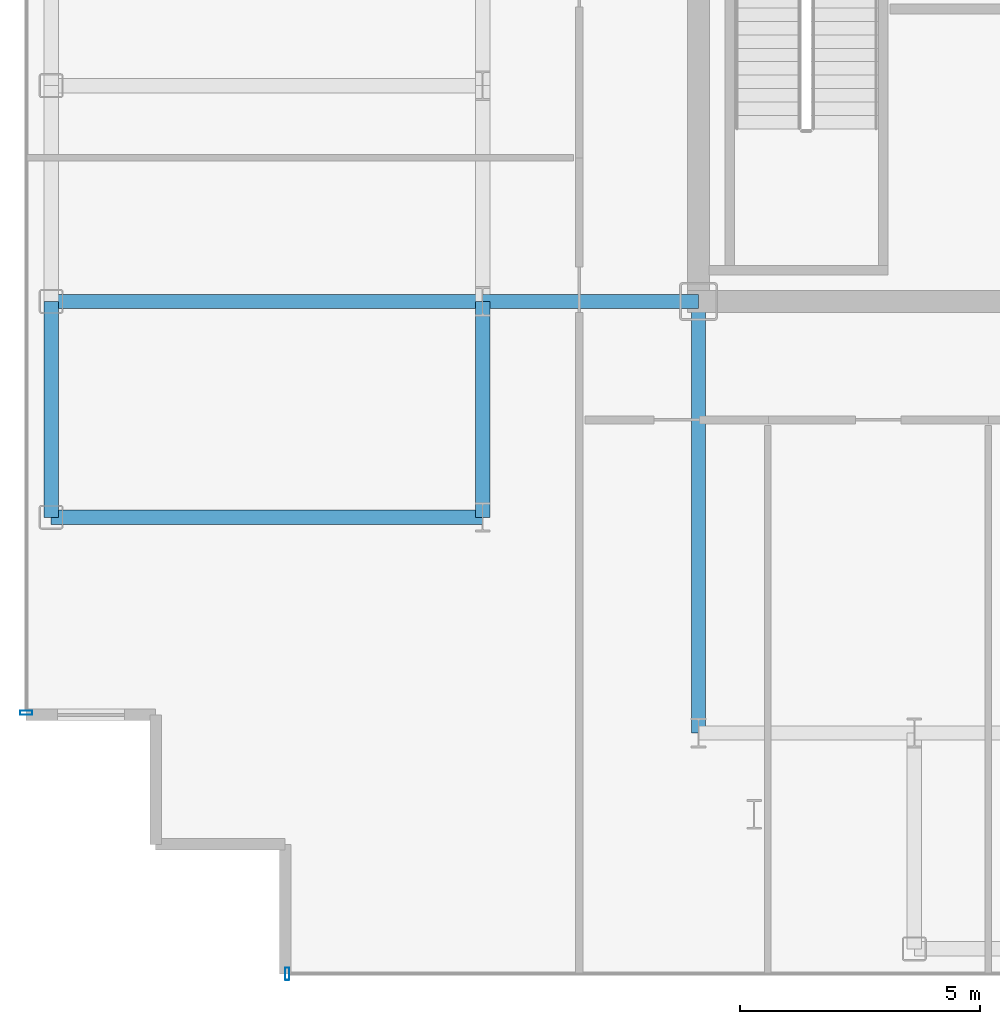
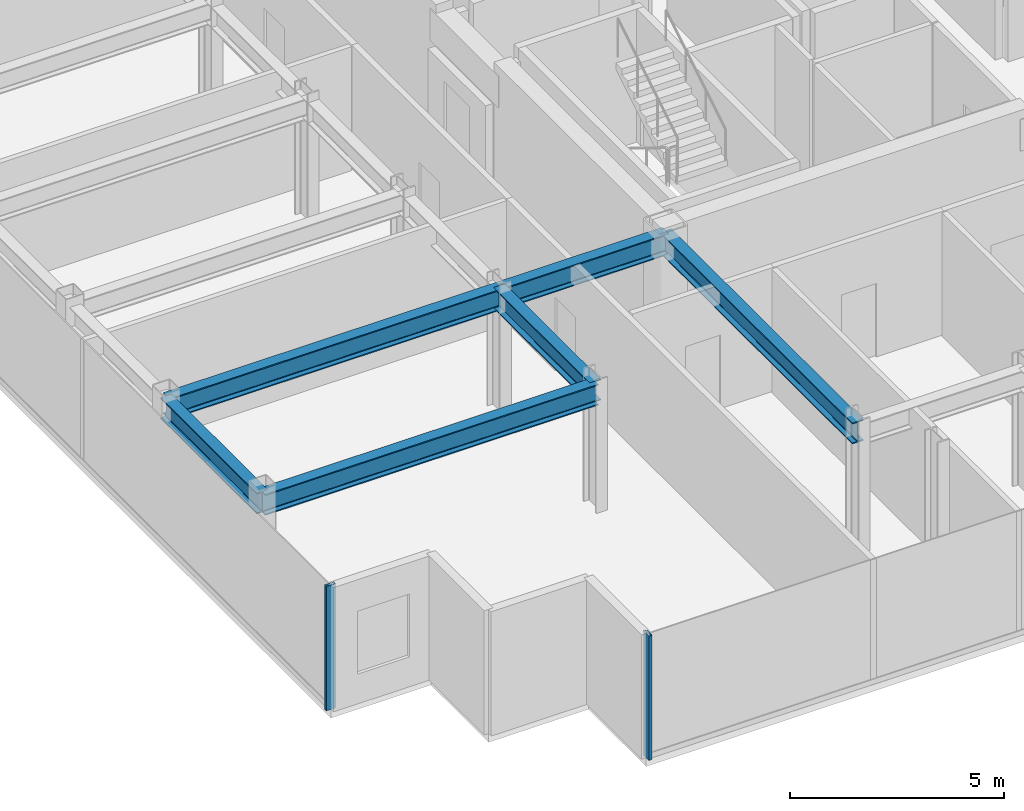
# One storey, part 2 of 18: 6 beams, 2 members, 2 elements without a shape of their own.
"""IFC4 building model written with IfcOpenShell, lengths in metres."""

from ifc_helpers import new_model, si_unit, direction, frame, origin, origin_2d, place, context, subcontext, project, spatial, hollow_rectangle, i_section, extrude, source, transform, mapped, material, layer, layer_set, material_profile, profile_set, type_object, element, aggregate, save


model = new_model("IFC4")

# Units and contexts
model_context = context("Model", 3, precision=1e-05, world=origin(), true_north=direction((0.0, 1.0)))
body_context = subcontext(model_context, "Body", "Model", "MODEL_VIEW")
ifc_project = project(units=[si_unit("LENGTHUNIT", "METRE"), si_unit("AREAUNIT", "SQUARE_METRE"), si_unit("VOLUMEUNIT", "CUBIC_METRE"), si_unit("PLANEANGLEUNIT", "RADIAN"), si_unit("MASSUNIT", "GRAM", prefix="KILO")], contexts=[model_context])

# Site, building, storey
site_placement = place(None, origin())
site = spatial("IfcSite", under=ifc_project, at=site_placement, CompositionType="ELEMENT")
building_placement = place(site_placement, origin())
building = spatial("IfcBuilding", under=site, at=building_placement, Name="Nefas-Gora Pilgrimage Tower", CompositionType="ELEMENT")
storey_placement = place(building_placement, frame((0.0, 0.0, 295.0)))
storey = spatial("IfcBuildingStorey", under=building, at=storey_placement, Name="L74", CompositionType="ELEMENT", Elevation=295.0)

# Beams
ifc_material_1 = material(Name="Steel S355", Category="steel")
ifc_material_profile_1 = material_profile(ifc_material_1, i_section(OverallWidth=0.300048828125, OverallDepth=0.60009765625, WebThickness=0.015380859375, FlangeThickness=0.030029296875, FilletRadius=0.027099609375, at=origin_2d()), Name="HEB 600")
ifc_profile_set_1 = profile_set([ifc_material_profile_1], Name="Steel S355")
beam_type_1 = type_object("IfcBeamType", Name="BM-SPN-HEB450", PredefinedType="SPANDREL", material=ifc_profile_set_1)
shared_shape_1 = source(origin(), body_context, "Body", "SweptSolid", [
    extrude(i_section(OverallWidth=0.300048828125, OverallDepth=0.60009765625, WebThickness=0.015380859375, FlangeThickness=0.030029296875, FilletRadius=0.027099609375, at=origin_2d()), origin(), (0.0, 0.0, 1.0), 4.5),
])
beam_placement = place(storey_placement, frame((-24.75, -13.5, 3.25), z_axis=(0.0, 1.0, 0.0), x_axis=(-1.0, 0.0, 0.0)))
element("IfcBeam", 1, at=beam_placement, inside=storey, type_object=beam_type_1, Name="L74 SP-03 beam", PredefinedType="SPANDREL", context=body_context, shape_type="MappedRepresentation", body=[
    mapped(shared_shape_1, transform((0.0, 0.0, 0.0), x_axis=(1.0, 0.0, 0.0), y_axis=(0.0, 1.0, 0.0), z_axis=(0.0, 0.0, 1.0), scale=1.0)),
])
ifc_material_profile_2 = material_profile(ifc_material_1, i_section(OverallWidth=0.300048828125, OverallDepth=0.60009765625, WebThickness=0.015380859375, FlangeThickness=0.030029296875, FilletRadius=0.027099609375, at=origin_2d()), Name="HEB 600")
ifc_profile_set_2 = profile_set([ifc_material_profile_2], Name="Steel S355")
beam_type_2 = type_object("IfcBeamType", Name="BM-GIR-HEB600", PredefinedType="BEAM", material=ifc_profile_set_2)
shared_shape_2 = source(origin(), body_context, "Body", "SweptSolid", [
    extrude(i_section(OverallWidth=0.300048828125, OverallDepth=0.60009765625, WebThickness=0.015380859375, FlangeThickness=0.030029296875, FilletRadius=0.027099609375, at=origin_2d()), origin(), (0.0, 0.0, 1.0), 9.0),
])
for number, where, z_axis, x_axis, name in (
    (2, (-24.75, -13.5, 3.25), (1.0, 0.0, 0.0), (0.0, 1.0, 0.0), "L74 G-04 beam"),
    (3, (-24.75, -9.0, 3.25), (1.0, 0.0, 0.0), (0.0, 1.0, 0.0), "L74 G-04 beam"),
    (4, (-11.25, -18.0, 3.25), (0.0, 1.0, 0.0), (-1.0, 0.0, 0.0), "L74 G-04 beam"),
):
    element("IfcBeam", number, at=place(storey_placement, frame(where, z_axis=z_axis, x_axis=x_axis)), inside=storey, type_object=beam_type_2, Name=name, PredefinedType="BEAM", context=body_context, shape_type="MappedRepresentation", body=[
        mapped(shared_shape_2, transform((0.0, 0.0, 0.0), x_axis=(1.0, 0.0, 0.0), y_axis=(0.0, 1.0, 0.0), z_axis=(0.0, 0.0, 1.0), scale=1.0)),
    ])
shared_shape_3 = source(origin(), body_context, "Body", "SweptSolid", [
    extrude(i_section(OverallWidth=0.300048828125, OverallDepth=0.60009765625, WebThickness=0.015380859375, FlangeThickness=0.030029296875, FilletRadius=0.027099609375, at=origin_2d()), origin(), (0.0, 0.0, 1.0), 4.5),
])
for number, where, z_axis, x_axis, name in (
    (5, (-15.75, -13.5, 3.25), (0.0, 1.0, 0.0), (-1.0, 0.0, 0.0), "L74 G-04 beam"),
    (6, (-15.75, -9.0, 3.25), (1.0, 0.0, 0.0), (0.0, 1.0, 0.0), "L74 G-04 beam"),
):
    element("IfcBeam", number, at=place(storey_placement, frame(where, z_axis=z_axis, x_axis=x_axis)), inside=storey, type_object=beam_type_2, Name=name, PredefinedType="BEAM", context=body_context, shape_type="MappedRepresentation", body=[
        mapped(shared_shape_3, transform((0.0, 0.0, 0.0), x_axis=(1.0, 0.0, 0.0), y_axis=(0.0, 1.0, 0.0), z_axis=(0.0, 0.0, 1.0), scale=1.0)),
    ])

# Curtain wall, member
ifc_material_2 = material(Name="Dark ceramic-fritted solar-control aluminium-glass curtain wall", Category="aluminium")
ifc_layer = layer(ifc_material_2, 0.219970703125)
ifc_layer_set = layer_set([ifc_layer], Name="Dark ceramic-fritted solar-control aluminium-glass curtain wall")
curtain_wall_type = type_object("IfcCurtainWallType", Name="CW-SYS-4", PredefinedType="NOTDEFINED", material=ifc_layer_set)
curtain_wall_1_placement = place(storey_placement, origin())
curtain_wall_1 = element("IfcCurtainWall", 7, at=curtain_wall_1_placement, inside=storey, type_object=curtain_wall_type, Name="L74 Unitised Curtain Wall CW4", PredefinedType="NOTDEFINED")
ifc_material_3 = material(Name="Anodised architectural aluminium", Category="aluminium")
ifc_material_profile_3 = material_profile(ifc_material_3, hollow_rectangle(XDim=0.090087890625, YDim=0.260009765625, WallThickness=0.006103515625, InnerFilletRadius=0.006103515625, OuterFilletRadius=0.011962890625, at=origin_2d()), Name="ALU MULLION 90x260")
ifc_profile_set_3 = profile_set([ifc_material_profile_3], Name="Anodised architectural aluminium")
member_type = type_object("IfcMemberType", Name="CWM-MUL-4", PredefinedType="MULLION", material=ifc_profile_set_3)
shared_shape_4 = source(origin(), body_context, "Body", "SweptSolid", [
    extrude(hollow_rectangle(XDim=0.090087890625, YDim=0.260009765625, WallThickness=0.006103515625, InnerFilletRadius=0.006103515625, OuterFilletRadius=0.011962890625, at=origin_2d()), origin(), (0.0, 0.0, 1.0), 3.550048828125),
])
member_1_placement = place(storey_placement, frame((-25.27001953125, -17.574951171875, 0.0), z_axis=(0.0, 0.0, 1.0), x_axis=(0.0, -1.0, 0.0)))
member_1 = element("IfcMember", 8, at=member_1_placement, type_object=member_type, Name="CW4 Mullion 3", PredefinedType="MULLION", context=body_context, shape_type="MappedRepresentation", body=[
    mapped(shared_shape_4, transform((0.0, 0.0, 0.0), x_axis=(1.0, 0.0, 0.0), y_axis=(0.0, 1.0, 0.0), z_axis=(0.0, 0.0, 1.0), scale=1.0)),
])
aggregate(curtain_wall_1, [member_1])

curtain_wall_2_placement = place(storey_placement, origin())
curtain_wall_2 = element("IfcCurtainWall", 9, at=curtain_wall_2_placement, inside=storey, type_object=curtain_wall_type, Name="L74 Unitised Curtain Wall CW4", PredefinedType="NOTDEFINED")
member_2_placement = place(storey_placement, frame((-19.824951171875, -23.02001953125, 0.0), z_axis=(0.0, 0.0, 1.0), x_axis=(1.0, 0.0, 0.0)))
member_2 = element("IfcMember", 10, at=member_2_placement, type_object=member_type, Name="CW4 Mullion 1", PredefinedType="MULLION", context=body_context, shape_type="MappedRepresentation", body=[
    mapped(shared_shape_4, transform((0.0, 0.0, 0.0), x_axis=(1.0, 0.0, 0.0), y_axis=(0.0, 1.0, 0.0), z_axis=(0.0, 0.0, 1.0), scale=1.0)),
])
aggregate(curtain_wall_2, [member_2])

save(model, "model.ifc")
